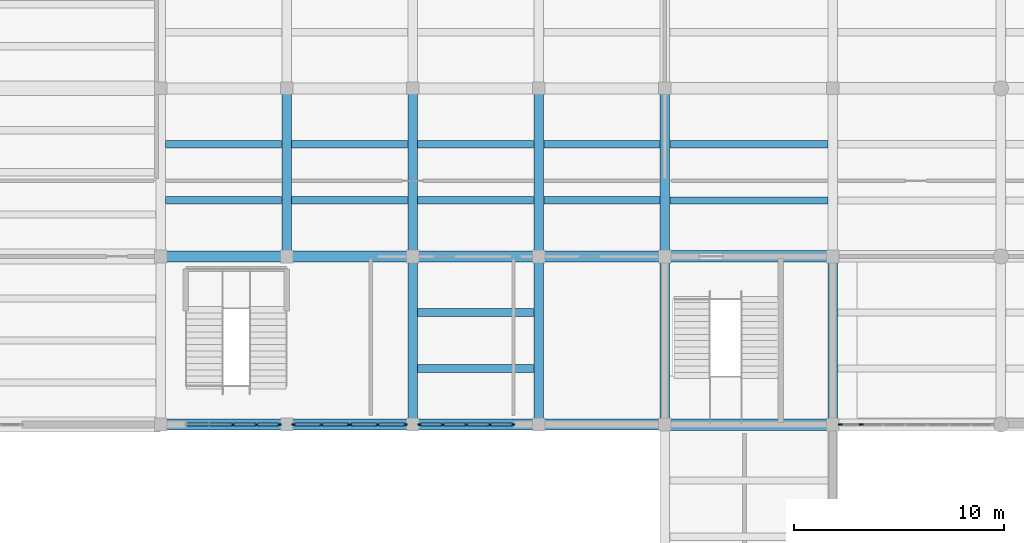
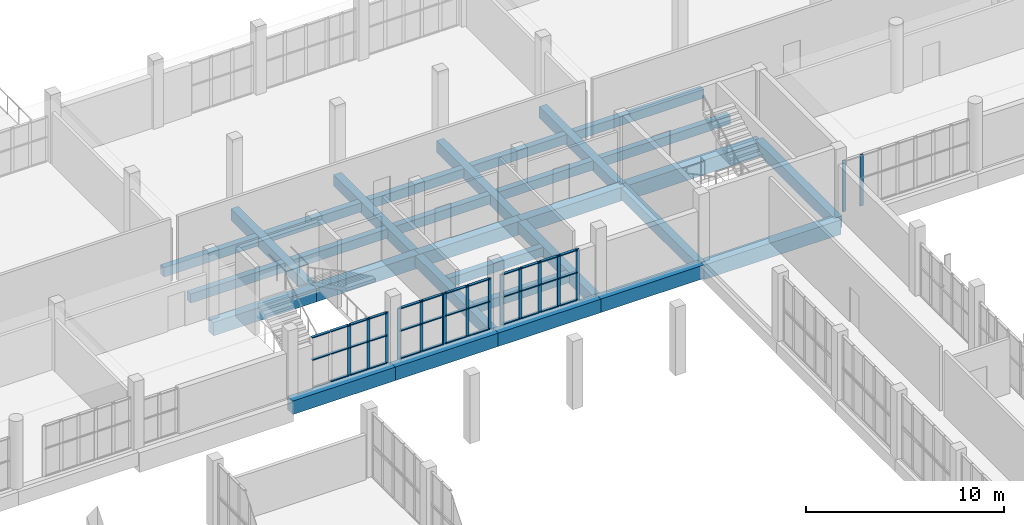
# One storey, part 22 of 85: 51 members, 30 beams, 5 elements without a shape of their own.
"""IFC4 building model written with IfcOpenShell, lengths in metres."""

from ifc_helpers import new_model, si_unit, direction, frame, origin, origin_2d, place, context, subcontext, project, spatial, rectangle, extrude, material, layer, layer_set, material_profile, profile_set, type_object, element, aggregate, save


model = new_model("IFC4")

# Units and contexts
model_context = context("Model", 3, precision=1e-05, world=origin(), true_north=direction((0.0, 1.0)))
body_context = subcontext(model_context, "Body", "Model", "MODEL_VIEW")
ifc_project = project(units=[si_unit("LENGTHUNIT", "METRE"), si_unit("AREAUNIT", "SQUARE_METRE"), si_unit("VOLUMEUNIT", "CUBIC_METRE"), si_unit("PLANEANGLEUNIT", "RADIAN"), si_unit("MASSUNIT", "GRAM", prefix="KILO")], contexts=[model_context])

# Site, building, storey
site_placement = place(None, origin())
site = spatial("IfcSite", under=ifc_project, at=site_placement, CompositionType="ELEMENT")
building_placement = place(site_placement, origin())
building = spatial("IfcBuilding", under=site, at=building_placement, Name="Solvane Community Centre", CompositionType="ELEMENT")
storey_placement = place(building_placement, frame((0.0, 0.0, 5.39990234375)))
storey = spatial("IfcBuildingStorey", under=building, at=storey_placement, Name="L01", CompositionType="ELEMENT", Elevation=5.39990234375)

# Curtain wall, members
ifc_material_1 = material(Name="Anodised bronze aluminium AW-6063 T6", Category="aluminium")
ifc_layer_1 = layer(ifc_material_1, 0.18994140625)
ifc_layer_set_1 = layer_set([ifc_layer_1], Name="Anodised bronze aluminium AW-6063 T6")
curtain_wall_type_1 = type_object("IfcCurtainWallType", Name="Boulevard Bronze Vision Curtain Wall [73x32dm]", PredefinedType="NOTDEFINED", material=ifc_layer_set_1)
curtain_wall_1_placement = place(storey_placement, origin())
curtain_wall_1 = element("IfcCurtainWall", 1, at=curtain_wall_1_placement, inside=storey, type_object=curtain_wall_type_1, Name="Curtain Wall CW-L01-756_860-095", PredefinedType="NOTDEFINED")
ifc_material_profile_1 = material_profile(ifc_material_1, rectangle(XDim=0.06005859375, YDim=0.18994140625, at=origin_2d()), Name="CW-M 60x190")
ifc_profile_set_1 = profile_set([ifc_material_profile_1], Name="Anodised bronze aluminium AW-6063 T6")
member_type_1 = type_object("IfcMemberType", Name="Boulevard Mullion 60x190", PredefinedType="MULLION", material=ifc_profile_set_1)
member_1_placement = place(storey_placement, frame((69.359375, 86.0, 0.0), z_axis=(0.0, 0.0, 1.0), x_axis=(0.0, -1.0, 0.0)))
member_1 = element("IfcMember", 2, at=member_1_placement, type_object=member_type_1, Name="CW02-73x32 mullion 7", PredefinedType="MULLION", context=body_context, shape_type="SweptSolid", body=[
    extrude(rectangle(XDim=0.06005859375, YDim=0.18994140625, at=origin_2d()), origin(), (0.0, 0.0, 1.0), 3.1650390625),
])
member_2_placement = place(storey_placement, frame((68.344970703125, 86.0, 0.0), z_axis=(0.0, 0.0, 1.0), x_axis=(0.0, -1.0, 0.0)))
member_2 = element("IfcMember", 3, at=member_2_placement, type_object=member_type_1, Name="CW02-73x32 mullion 8", PredefinedType="MULLION", context=body_context, shape_type="SweptSolid", body=[
    extrude(rectangle(XDim=0.06005859375, YDim=0.18994140625, at=origin_2d()), origin(), (0.0, 0.0, 1.0), 3.1650390625),
])
aggregate(curtain_wall_1, [member_1, member_2])

ifc_layer_2 = layer(ifc_material_1, 0.18994140625)
ifc_layer_set_2 = layer_set([ifc_layer_2], Name="Anodised bronze aluminium AW-6063 T6")
curtain_wall_type_2 = type_object("IfcCurtainWallType", Name="Boulevard Bronze Vision Curtain Wall [45x31dm]", PredefinedType="NOTDEFINED", material=ifc_layer_set_2)
curtain_wall_2_placement = place(storey_placement, origin())
curtain_wall_2 = element("IfcCurtainWall", 4, at=curtain_wall_2_placement, inside=storey, type_object=curtain_wall_type_2, Name="Curtain Wall CW-L01-528_860-096", PredefinedType="NOTDEFINED")
member_3_placement = place(storey_placement, frame((52.77001953125, 86.0, 0.0), z_axis=(0.0, 0.0, 1.0), x_axis=(0.0, -1.0, 0.0)))
member_3 = element("IfcMember", 5, at=member_3_placement, type_object=member_type_1, Name="CW02-45x31 mullion 1", PredefinedType="MULLION", context=body_context, shape_type="SweptSolid", body=[
    extrude(rectangle(XDim=0.06005859375, YDim=0.18994140625, at=origin_2d()), origin(), (0.0, 0.0, 1.0), 3.135009765625),
])
member_4_placement = place(storey_placement, frame((51.6787109375, 86.0, 0.0), z_axis=(0.0, 0.0, 1.0), x_axis=(0.0, -1.0, 0.0)))
member_4 = element("IfcMember", 6, at=member_4_placement, type_object=member_type_1, Name="CW02-45x31 mullion 2", PredefinedType="MULLION", context=body_context, shape_type="SweptSolid", body=[
    extrude(rectangle(XDim=0.06005859375, YDim=0.18994140625, at=origin_2d()), origin(), (0.0, 0.0, 1.0), 3.135009765625),
])
member_5_placement = place(storey_placement, frame((50.5576171875, 86.0, 0.0), z_axis=(0.0, 0.0, 1.0), x_axis=(0.0, -1.0, 0.0)))
member_5 = element("IfcMember", 7, at=member_5_placement, type_object=member_type_1, Name="CW02-45x31 mullion 3", PredefinedType="MULLION", context=body_context, shape_type="SweptSolid", body=[
    extrude(rectangle(XDim=0.06005859375, YDim=0.18994140625, at=origin_2d()), origin(), (0.0, 0.0, 1.0), 3.135009765625),
])
member_6_placement = place(storey_placement, frame((49.436279296875, 86.0, 0.0), z_axis=(0.0, 0.0, 1.0), x_axis=(0.0, -1.0, 0.0)))
member_6 = element("IfcMember", 8, at=member_6_placement, type_object=member_type_1, Name="CW02-45x31 mullion 4", PredefinedType="MULLION", context=body_context, shape_type="SweptSolid", body=[
    extrude(rectangle(XDim=0.06005859375, YDim=0.18994140625, at=origin_2d()), origin(), (0.0, 0.0, 1.0), 3.135009765625),
])
member_7_placement = place(storey_placement, frame((48.344970703125, 86.0, 0.0), z_axis=(0.0, 0.0, 1.0), x_axis=(0.0, -1.0, 0.0)))
member_7 = element("IfcMember", 9, at=member_7_placement, type_object=member_type_1, Name="CW02-45x31 mullion 5", PredefinedType="MULLION", context=body_context, shape_type="SweptSolid", body=[
    extrude(rectangle(XDim=0.06005859375, YDim=0.18994140625, at=origin_2d()), origin(), (0.0, 0.0, 1.0), 3.135009765625),
])

ifc_layer_3 = layer(ifc_material_1, 0.18994140625)
ifc_layer_set_3 = layer_set([ifc_layer_3], Name="Anodised bronze aluminium AW-6063 T6")
curtain_wall_type_3 = type_object("IfcCurtainWallType", Name="Boulevard Bronze Vision Curtain Wall [27x31dm]", PredefinedType="NOTDEFINED", material=ifc_layer_set_3)
curtain_wall_3_placement = place(storey_placement, origin())
curtain_wall_3 = element("IfcCurtainWall", 10, at=curtain_wall_3_placement, inside=storey, type_object=curtain_wall_type_3, Name="Curtain Wall CW-L01-477_860-097", PredefinedType="NOTDEFINED")
member_8_placement = place(storey_placement, frame((47.655029296875, 86.0, 0.0), z_axis=(0.0, 0.0, 1.0), x_axis=(0.0, -1.0, 0.0)))
member_8 = element("IfcMember", 11, at=member_8_placement, type_object=member_type_1, Name="CW02-27x31 mullion 1", PredefinedType="MULLION", context=body_context, shape_type="SweptSolid", body=[
    extrude(rectangle(XDim=0.06005859375, YDim=0.18994140625, at=origin_2d()), origin(), (0.0, 0.0, 1.0), 3.135009765625),
])
member_9_placement = place(storey_placement, frame((46.342529296875, 86.0, 0.0), z_axis=(0.0, 0.0, 1.0), x_axis=(0.0, -1.0, 0.0)))
member_9 = element("IfcMember", 12, at=member_9_placement, type_object=member_type_1, Name="CW02-27x31 mullion 2", PredefinedType="MULLION", context=body_context, shape_type="SweptSolid", body=[
    extrude(rectangle(XDim=0.06005859375, YDim=0.18994140625, at=origin_2d()), origin(), (0.0, 0.0, 1.0), 3.135009765625),
])
member_10_placement = place(storey_placement, frame((45.030029296875, 86.0, 0.0), z_axis=(0.0, 0.0, 1.0), x_axis=(0.0, -1.0, 0.0)))
member_10 = element("IfcMember", 13, at=member_10_placement, type_object=member_type_1, Name="CW02-27x31 mullion 3", PredefinedType="MULLION", context=body_context, shape_type="SweptSolid", body=[
    extrude(rectangle(XDim=0.06005859375, YDim=0.18994140625, at=origin_2d()), origin(), (0.0, 0.0, 1.0), 3.135009765625),
])

curtain_wall_4_placement = place(storey_placement, origin())
curtain_wall_4 = element("IfcCurtainWall", 14, at=curtain_wall_4_placement, inside=storey, type_object=curtain_wall_type_3, Name="Curtain Wall CW-L01-450_860-098", PredefinedType="NOTDEFINED")
member_11_placement = place(storey_placement, frame((44.969970703125, 86.0, 0.0), z_axis=(0.0, 0.0, 1.0), x_axis=(0.0, -1.0, 0.0)))
member_11 = element("IfcMember", 15, at=member_11_placement, type_object=member_type_1, Name="CW02-27x31 mullion 1", PredefinedType="MULLION", context=body_context, shape_type="SweptSolid", body=[
    extrude(rectangle(XDim=0.06005859375, YDim=0.18994140625, at=origin_2d()), origin(), (0.0, 0.0, 1.0), 3.135009765625),
])
member_12_placement = place(storey_placement, frame((43.657470703125, 86.0, 0.0), z_axis=(0.0, 0.0, 1.0), x_axis=(0.0, -1.0, 0.0)))
member_12 = element("IfcMember", 16, at=member_12_placement, type_object=member_type_1, Name="CW02-27x31 mullion 2", PredefinedType="MULLION", context=body_context, shape_type="SweptSolid", body=[
    extrude(rectangle(XDim=0.06005859375, YDim=0.18994140625, at=origin_2d()), origin(), (0.0, 0.0, 1.0), 3.135009765625),
])
member_13_placement = place(storey_placement, frame((42.344970703125, 86.0, 0.0), z_axis=(0.0, 0.0, 1.0), x_axis=(0.0, -1.0, 0.0)))
member_13 = element("IfcMember", 17, at=member_13_placement, type_object=member_type_1, Name="CW02-27x31 mullion 3", PredefinedType="MULLION", context=body_context, shape_type="SweptSolid", body=[
    extrude(rectangle(XDim=0.06005859375, YDim=0.18994140625, at=origin_2d()), origin(), (0.0, 0.0, 1.0), 3.135009765625),
])

curtain_wall_5_placement = place(storey_placement, origin())
curtain_wall_5 = element("IfcCurtainWall", 18, at=curtain_wall_5_placement, inside=storey, type_object=curtain_wall_type_2, Name="Curtain Wall CW-L01-417_860-099", PredefinedType="NOTDEFINED")
member_14_placement = place(storey_placement, frame((41.655029296875, 86.0, 0.0), z_axis=(0.0, 0.0, 1.0), x_axis=(0.0, -1.0, 0.0)))
member_14 = element("IfcMember", 19, at=member_14_placement, type_object=member_type_1, Name="CW02-45x31 mullion 1", PredefinedType="MULLION", context=body_context, shape_type="SweptSolid", body=[
    extrude(rectangle(XDim=0.06005859375, YDim=0.18994140625, at=origin_2d()), origin(), (0.0, 0.0, 1.0), 3.135009765625),
])
member_15_placement = place(storey_placement, frame((40.563720703125, 86.0, 0.0), z_axis=(0.0, 0.0, 1.0), x_axis=(0.0, -1.0, 0.0)))
member_15 = element("IfcMember", 20, at=member_15_placement, type_object=member_type_1, Name="CW02-45x31 mullion 2", PredefinedType="MULLION", context=body_context, shape_type="SweptSolid", body=[
    extrude(rectangle(XDim=0.06005859375, YDim=0.18994140625, at=origin_2d()), origin(), (0.0, 0.0, 1.0), 3.135009765625),
])
member_16_placement = place(storey_placement, frame((39.4423828125, 86.0, 0.0), z_axis=(0.0, 0.0, 1.0), x_axis=(0.0, -1.0, 0.0)))
member_16 = element("IfcMember", 21, at=member_16_placement, type_object=member_type_1, Name="CW02-45x31 mullion 3", PredefinedType="MULLION", context=body_context, shape_type="SweptSolid", body=[
    extrude(rectangle(XDim=0.06005859375, YDim=0.18994140625, at=origin_2d()), origin(), (0.0, 0.0, 1.0), 3.135009765625),
])

# Member
ifc_material_profile_2 = material_profile(ifc_material_1, rectangle(XDim=0.14990234375, YDim=0.06005859375, at=origin_2d()), Name="CW-T 60x150")
ifc_profile_set_2 = profile_set([ifc_material_profile_2], Name="Anodised bronze aluminium AW-6063 T6")
member_type_2 = type_object("IfcMemberType", Name="Boulevard Transom 60x150", PredefinedType="USERDEFINED", material=ifc_profile_set_2)
member_17_placement = place(storey_placement, frame((52.739990234375, 86.0, 0.030029296875), z_axis=(-1.0, 0.0, 0.0), x_axis=(0.0, -1.0, 0.0)))
member_17 = element("IfcMember", 22, at=member_17_placement, type_object=member_type_2, Name="CW02-45x31 transom 1.1", ObjectType="TRANSOM", PredefinedType="USERDEFINED", context=body_context, shape_type="SweptSolid", body=[
    extrude(rectangle(XDim=0.14990234375, YDim=0.06005859375, at=origin_2d()), origin(), (0.0, 0.0, 1.0), 1.03125),
])

member_18_placement = place(storey_placement, frame((52.739990234375, 86.0, 1.72412109375), z_axis=(-1.0, 0.0, 0.0), x_axis=(0.0, -1.0, 0.0)))
member_18 = element("IfcMember", 23, at=member_18_placement, type_object=member_type_2, Name="CW02-45x31 transom 1.2", ObjectType="TRANSOM", PredefinedType="USERDEFINED", context=body_context, shape_type="SweptSolid", body=[
    extrude(rectangle(XDim=0.14990234375, YDim=0.06005859375, at=origin_2d()), origin(), (0.0, 0.0, 1.0), 1.03125),
])

member_19_placement = place(storey_placement, frame((52.739990234375, 86.0, 3.10498046875), z_axis=(-1.0, 0.0, 0.0), x_axis=(0.0, -1.0, 0.0)))
member_19 = element("IfcMember", 24, at=member_19_placement, type_object=member_type_2, Name="CW02-45x31 transom 1.3", ObjectType="TRANSOM", PredefinedType="USERDEFINED", context=body_context, shape_type="SweptSolid", body=[
    extrude(rectangle(XDim=0.14990234375, YDim=0.06005859375, at=origin_2d()), origin(), (0.0, 0.0, 1.0), 1.03125),
])

member_20_placement = place(storey_placement, frame((51.648681640625, 86.0, 0.030029296875), z_axis=(-1.0, 0.0, 0.0), x_axis=(0.0, -1.0, 0.0)))
member_20 = element("IfcMember", 25, at=member_20_placement, type_object=member_type_2, Name="CW02-45x31 transom 2.1", ObjectType="TRANSOM", PredefinedType="USERDEFINED", context=body_context, shape_type="SweptSolid", body=[
    extrude(rectangle(XDim=0.14990234375, YDim=0.06005859375, at=origin_2d()), origin(), (0.0, 0.0, 1.0), 1.061279296875),
])

member_21_placement = place(storey_placement, frame((51.648681640625, 86.0, 1.72412109375), z_axis=(-1.0, 0.0, 0.0), x_axis=(0.0, -1.0, 0.0)))
member_21 = element("IfcMember", 26, at=member_21_placement, type_object=member_type_2, Name="CW02-45x31 transom 2.2", ObjectType="TRANSOM", PredefinedType="USERDEFINED", context=body_context, shape_type="SweptSolid", body=[
    extrude(rectangle(XDim=0.14990234375, YDim=0.06005859375, at=origin_2d()), origin(), (0.0, 0.0, 1.0), 1.061279296875),
])

member_22_placement = place(storey_placement, frame((51.648681640625, 86.0, 3.10498046875), z_axis=(-1.0, 0.0, 0.0), x_axis=(0.0, -1.0, 0.0)))
member_22 = element("IfcMember", 27, at=member_22_placement, type_object=member_type_2, Name="CW02-45x31 transom 2.3", ObjectType="TRANSOM", PredefinedType="USERDEFINED", context=body_context, shape_type="SweptSolid", body=[
    extrude(rectangle(XDim=0.14990234375, YDim=0.06005859375, at=origin_2d()), origin(), (0.0, 0.0, 1.0), 1.061279296875),
])

member_23_placement = place(storey_placement, frame((50.527587890625, 86.0, 0.030029296875), z_axis=(-1.0, 0.0, 0.0), x_axis=(0.0, -1.0, 0.0)))
member_23 = element("IfcMember", 28, at=member_23_placement, type_object=member_type_2, Name="CW02-45x31 transom 3.1", ObjectType="TRANSOM", PredefinedType="USERDEFINED", context=body_context, shape_type="SweptSolid", body=[
    extrude(rectangle(XDim=0.14990234375, YDim=0.06005859375, at=origin_2d()), origin(), (0.0, 0.0, 1.0), 1.061279296875),
])

member_24_placement = place(storey_placement, frame((50.527587890625, 86.0, 1.72412109375), z_axis=(-1.0, 0.0, 0.0), x_axis=(0.0, -1.0, 0.0)))
member_24 = element("IfcMember", 29, at=member_24_placement, type_object=member_type_2, Name="CW02-45x31 transom 3.2", ObjectType="TRANSOM", PredefinedType="USERDEFINED", context=body_context, shape_type="SweptSolid", body=[
    extrude(rectangle(XDim=0.14990234375, YDim=0.06005859375, at=origin_2d()), origin(), (0.0, 0.0, 1.0), 1.061279296875),
])

member_25_placement = place(storey_placement, frame((50.527587890625, 86.0, 3.10498046875), z_axis=(-1.0, 0.0, 0.0), x_axis=(0.0, -1.0, 0.0)))
member_25 = element("IfcMember", 30, at=member_25_placement, type_object=member_type_2, Name="CW02-45x31 transom 3.3", ObjectType="TRANSOM", PredefinedType="USERDEFINED", context=body_context, shape_type="SweptSolid", body=[
    extrude(rectangle(XDim=0.14990234375, YDim=0.06005859375, at=origin_2d()), origin(), (0.0, 0.0, 1.0), 1.061279296875),
])

member_26_placement = place(storey_placement, frame((49.40625, 86.0, 0.030029296875), z_axis=(-1.0, 0.0, 0.0), x_axis=(0.0, -1.0, 0.0)))
member_26 = element("IfcMember", 31, at=member_26_placement, type_object=member_type_2, Name="CW02-45x31 transom 4.1", ObjectType="TRANSOM", PredefinedType="USERDEFINED", context=body_context, shape_type="SweptSolid", body=[
    extrude(rectangle(XDim=0.14990234375, YDim=0.06005859375, at=origin_2d()), origin(), (0.0, 0.0, 1.0), 1.03125),
])

member_27_placement = place(storey_placement, frame((49.40625, 86.0, 1.72412109375), z_axis=(-1.0, 0.0, 0.0), x_axis=(0.0, -1.0, 0.0)))
member_27 = element("IfcMember", 32, at=member_27_placement, type_object=member_type_2, Name="CW02-45x31 transom 4.2", ObjectType="TRANSOM", PredefinedType="USERDEFINED", context=body_context, shape_type="SweptSolid", body=[
    extrude(rectangle(XDim=0.14990234375, YDim=0.06005859375, at=origin_2d()), origin(), (0.0, 0.0, 1.0), 1.03125),
])

member_28_placement = place(storey_placement, frame((49.40625, 86.0, 3.10498046875), z_axis=(-1.0, 0.0, 0.0), x_axis=(0.0, -1.0, 0.0)))
member_28 = element("IfcMember", 33, at=member_28_placement, type_object=member_type_2, Name="CW02-45x31 transom 4.3", ObjectType="TRANSOM", PredefinedType="USERDEFINED", context=body_context, shape_type="SweptSolid", body=[
    extrude(rectangle(XDim=0.14990234375, YDim=0.06005859375, at=origin_2d()), origin(), (0.0, 0.0, 1.0), 1.03125),
])

aggregate(curtain_wall_2, [member_3, member_4, member_5, member_6, member_7, member_17, member_18, member_19, member_20, member_21, member_22, member_23, member_24, member_25, member_26, member_27, member_28])

member_29_placement = place(storey_placement, frame((47.625, 86.0, 0.030029296875), z_axis=(-1.0, 0.0, 0.0), x_axis=(0.0, -1.0, 0.0)))
member_29 = element("IfcMember", 34, at=member_29_placement, type_object=member_type_2, Name="CW02-27x31 transom 1.1", ObjectType="TRANSOM", PredefinedType="USERDEFINED", context=body_context, shape_type="SweptSolid", body=[
    extrude(rectangle(XDim=0.14990234375, YDim=0.06005859375, at=origin_2d()), origin(), (0.0, 0.0, 1.0), 1.25244140625),
])

member_30_placement = place(storey_placement, frame((47.625, 86.0, 1.72412109375), z_axis=(-1.0, 0.0, 0.0), x_axis=(0.0, -1.0, 0.0)))
member_30 = element("IfcMember", 35, at=member_30_placement, type_object=member_type_2, Name="CW02-27x31 transom 1.2", ObjectType="TRANSOM", PredefinedType="USERDEFINED", context=body_context, shape_type="SweptSolid", body=[
    extrude(rectangle(XDim=0.14990234375, YDim=0.06005859375, at=origin_2d()), origin(), (0.0, 0.0, 1.0), 1.25244140625),
])

member_31_placement = place(storey_placement, frame((47.625, 86.0, 3.10498046875), z_axis=(-1.0, 0.0, 0.0), x_axis=(0.0, -1.0, 0.0)))
member_31 = element("IfcMember", 36, at=member_31_placement, type_object=member_type_2, Name="CW02-27x31 transom 1.3", ObjectType="TRANSOM", PredefinedType="USERDEFINED", context=body_context, shape_type="SweptSolid", body=[
    extrude(rectangle(XDim=0.14990234375, YDim=0.06005859375, at=origin_2d()), origin(), (0.0, 0.0, 1.0), 1.25244140625),
])

member_32_placement = place(storey_placement, frame((46.3125, 86.0, 0.030029296875), z_axis=(-1.0, 0.0, 0.0), x_axis=(0.0, -1.0, 0.0)))
member_32 = element("IfcMember", 37, at=member_32_placement, type_object=member_type_2, Name="CW02-27x31 transom 2.1", ObjectType="TRANSOM", PredefinedType="USERDEFINED", context=body_context, shape_type="SweptSolid", body=[
    extrude(rectangle(XDim=0.14990234375, YDim=0.06005859375, at=origin_2d()), origin(), (0.0, 0.0, 1.0), 1.25244140625),
])

member_33_placement = place(storey_placement, frame((46.3125, 86.0, 1.72412109375), z_axis=(-1.0, 0.0, 0.0), x_axis=(0.0, -1.0, 0.0)))
member_33 = element("IfcMember", 38, at=member_33_placement, type_object=member_type_2, Name="CW02-27x31 transom 2.2", ObjectType="TRANSOM", PredefinedType="USERDEFINED", context=body_context, shape_type="SweptSolid", body=[
    extrude(rectangle(XDim=0.14990234375, YDim=0.06005859375, at=origin_2d()), origin(), (0.0, 0.0, 1.0), 1.25244140625),
])

member_34_placement = place(storey_placement, frame((46.3125, 86.0, 3.10498046875), z_axis=(-1.0, 0.0, 0.0), x_axis=(0.0, -1.0, 0.0)))
member_34 = element("IfcMember", 39, at=member_34_placement, type_object=member_type_2, Name="CW02-27x31 transom 2.3", ObjectType="TRANSOM", PredefinedType="USERDEFINED", context=body_context, shape_type="SweptSolid", body=[
    extrude(rectangle(XDim=0.14990234375, YDim=0.06005859375, at=origin_2d()), origin(), (0.0, 0.0, 1.0), 1.25244140625),
])

aggregate(curtain_wall_3, [member_8, member_9, member_10, member_29, member_30, member_31, member_32, member_33, member_34])

member_35_placement = place(storey_placement, frame((44.93994140625, 86.0, 0.030029296875), z_axis=(-1.0, 0.0, 0.0), x_axis=(0.0, -1.0, 0.0)))
member_35 = element("IfcMember", 40, at=member_35_placement, type_object=member_type_2, Name="CW02-27x31 transom 1.1", ObjectType="TRANSOM", PredefinedType="USERDEFINED", context=body_context, shape_type="SweptSolid", body=[
    extrude(rectangle(XDim=0.14990234375, YDim=0.06005859375, at=origin_2d()), origin(), (0.0, 0.0, 1.0), 1.25244140625),
])

member_36_placement = place(storey_placement, frame((44.93994140625, 86.0, 1.72412109375), z_axis=(-1.0, 0.0, 0.0), x_axis=(0.0, -1.0, 0.0)))
member_36 = element("IfcMember", 41, at=member_36_placement, type_object=member_type_2, Name="CW02-27x31 transom 1.2", ObjectType="TRANSOM", PredefinedType="USERDEFINED", context=body_context, shape_type="SweptSolid", body=[
    extrude(rectangle(XDim=0.14990234375, YDim=0.06005859375, at=origin_2d()), origin(), (0.0, 0.0, 1.0), 1.25244140625),
])

member_37_placement = place(storey_placement, frame((44.93994140625, 86.0, 3.10498046875), z_axis=(-1.0, 0.0, 0.0), x_axis=(0.0, -1.0, 0.0)))
member_37 = element("IfcMember", 42, at=member_37_placement, type_object=member_type_2, Name="CW02-27x31 transom 1.3", ObjectType="TRANSOM", PredefinedType="USERDEFINED", context=body_context, shape_type="SweptSolid", body=[
    extrude(rectangle(XDim=0.14990234375, YDim=0.06005859375, at=origin_2d()), origin(), (0.0, 0.0, 1.0), 1.25244140625),
])

member_38_placement = place(storey_placement, frame((43.62744140625, 86.0, 0.030029296875), z_axis=(-1.0, 0.0, 0.0), x_axis=(0.0, -1.0, 0.0)))
member_38 = element("IfcMember", 43, at=member_38_placement, type_object=member_type_2, Name="CW02-27x31 transom 2.1", ObjectType="TRANSOM", PredefinedType="USERDEFINED", context=body_context, shape_type="SweptSolid", body=[
    extrude(rectangle(XDim=0.14990234375, YDim=0.06005859375, at=origin_2d()), origin(), (0.0, 0.0, 1.0), 1.25244140625),
])

member_39_placement = place(storey_placement, frame((43.62744140625, 86.0, 1.72412109375), z_axis=(-1.0, 0.0, 0.0), x_axis=(0.0, -1.0, 0.0)))
member_39 = element("IfcMember", 44, at=member_39_placement, type_object=member_type_2, Name="CW02-27x31 transom 2.2", ObjectType="TRANSOM", PredefinedType="USERDEFINED", context=body_context, shape_type="SweptSolid", body=[
    extrude(rectangle(XDim=0.14990234375, YDim=0.06005859375, at=origin_2d()), origin(), (0.0, 0.0, 1.0), 1.25244140625),
])

member_40_placement = place(storey_placement, frame((43.62744140625, 86.0, 3.10498046875), z_axis=(-1.0, 0.0, 0.0), x_axis=(0.0, -1.0, 0.0)))
member_40 = element("IfcMember", 45, at=member_40_placement, type_object=member_type_2, Name="CW02-27x31 transom 2.3", ObjectType="TRANSOM", PredefinedType="USERDEFINED", context=body_context, shape_type="SweptSolid", body=[
    extrude(rectangle(XDim=0.14990234375, YDim=0.06005859375, at=origin_2d()), origin(), (0.0, 0.0, 1.0), 1.25244140625),
])

aggregate(curtain_wall_4, [member_11, member_12, member_13, member_35, member_36, member_37, member_38, member_39, member_40])

member_41_placement = place(storey_placement, frame((41.625, 86.0, 0.030029296875), z_axis=(-1.0, 0.0, 0.0), x_axis=(0.0, -1.0, 0.0)))
member_41 = element("IfcMember", 46, at=member_41_placement, type_object=member_type_2, Name="CW02-45x31 transom 1.1", ObjectType="TRANSOM", PredefinedType="USERDEFINED", context=body_context, shape_type="SweptSolid", body=[
    extrude(rectangle(XDim=0.14990234375, YDim=0.06005859375, at=origin_2d()), origin(), (0.0, 0.0, 1.0), 1.03125),
])

member_42_placement = place(storey_placement, frame((41.625, 86.0, 1.72412109375), z_axis=(-1.0, 0.0, 0.0), x_axis=(0.0, -1.0, 0.0)))
member_42 = element("IfcMember", 47, at=member_42_placement, type_object=member_type_2, Name="CW02-45x31 transom 1.2", ObjectType="TRANSOM", PredefinedType="USERDEFINED", context=body_context, shape_type="SweptSolid", body=[
    extrude(rectangle(XDim=0.14990234375, YDim=0.06005859375, at=origin_2d()), origin(), (0.0, 0.0, 1.0), 1.03125),
])

member_43_placement = place(storey_placement, frame((41.625, 86.0, 3.10498046875), z_axis=(-1.0, 0.0, 0.0), x_axis=(0.0, -1.0, 0.0)))
member_43 = element("IfcMember", 48, at=member_43_placement, type_object=member_type_2, Name="CW02-45x31 transom 1.3", ObjectType="TRANSOM", PredefinedType="USERDEFINED", context=body_context, shape_type="SweptSolid", body=[
    extrude(rectangle(XDim=0.14990234375, YDim=0.06005859375, at=origin_2d()), origin(), (0.0, 0.0, 1.0), 1.03125),
])

member_44_placement = place(storey_placement, frame((40.53369140625, 86.0, 0.030029296875), z_axis=(-1.0, 0.0, 0.0), x_axis=(0.0, -1.0, 0.0)))
member_44 = element("IfcMember", 49, at=member_44_placement, type_object=member_type_2, Name="CW02-45x31 transom 2.1", ObjectType="TRANSOM", PredefinedType="USERDEFINED", context=body_context, shape_type="SweptSolid", body=[
    extrude(rectangle(XDim=0.14990234375, YDim=0.06005859375, at=origin_2d()), origin(), (0.0, 0.0, 1.0), 1.061279296875),
])

member_45_placement = place(storey_placement, frame((40.53369140625, 86.0, 1.72412109375), z_axis=(-1.0, 0.0, 0.0), x_axis=(0.0, -1.0, 0.0)))
member_45 = element("IfcMember", 50, at=member_45_placement, type_object=member_type_2, Name="CW02-45x31 transom 2.2", ObjectType="TRANSOM", PredefinedType="USERDEFINED", context=body_context, shape_type="SweptSolid", body=[
    extrude(rectangle(XDim=0.14990234375, YDim=0.06005859375, at=origin_2d()), origin(), (0.0, 0.0, 1.0), 1.061279296875),
])

member_46_placement = place(storey_placement, frame((40.53369140625, 86.0, 3.10498046875), z_axis=(-1.0, 0.0, 0.0), x_axis=(0.0, -1.0, 0.0)))
member_46 = element("IfcMember", 51, at=member_46_placement, type_object=member_type_2, Name="CW02-45x31 transom 2.3", ObjectType="TRANSOM", PredefinedType="USERDEFINED", context=body_context, shape_type="SweptSolid", body=[
    extrude(rectangle(XDim=0.14990234375, YDim=0.06005859375, at=origin_2d()), origin(), (0.0, 0.0, 1.0), 1.061279296875),
])

member_47_placement = place(storey_placement, frame((39.41259765625, 86.0, 0.030029296875), z_axis=(-1.0, 0.0, 0.0), x_axis=(0.0, -1.0, 0.0)))
member_47 = element("IfcMember", 52, at=member_47_placement, type_object=member_type_2, Name="CW02-45x31 transom 3.1", ObjectType="TRANSOM", PredefinedType="USERDEFINED", context=body_context, shape_type="SweptSolid", body=[
    extrude(rectangle(XDim=0.14990234375, YDim=0.06005859375, at=origin_2d()), origin(), (0.0, 0.0, 1.0), 1.061279296875),
])

member_48_placement = place(storey_placement, frame((39.41259765625, 86.0, 1.72412109375), z_axis=(-1.0, 0.0, 0.0), x_axis=(0.0, -1.0, 0.0)))
member_48 = element("IfcMember", 53, at=member_48_placement, type_object=member_type_2, Name="CW02-45x31 transom 3.2", ObjectType="TRANSOM", PredefinedType="USERDEFINED", context=body_context, shape_type="SweptSolid", body=[
    extrude(rectangle(XDim=0.14990234375, YDim=0.06005859375, at=origin_2d()), origin(), (0.0, 0.0, 1.0), 1.061279296875),
])

member_49_placement = place(storey_placement, frame((39.41259765625, 86.0, 3.10498046875), z_axis=(-1.0, 0.0, 0.0), x_axis=(0.0, -1.0, 0.0)))
member_49 = element("IfcMember", 54, at=member_49_placement, type_object=member_type_2, Name="CW02-45x31 transom 3.3", ObjectType="TRANSOM", PredefinedType="USERDEFINED", context=body_context, shape_type="SweptSolid", body=[
    extrude(rectangle(XDim=0.14990234375, YDim=0.06005859375, at=origin_2d()), origin(), (0.0, 0.0, 1.0), 1.061279296875),
])

member_50_placement = place(storey_placement, frame((38.291259765625, 86.0, 1.72412109375), z_axis=(-1.0, 0.0, 0.0), x_axis=(0.0, -1.0, 0.0)))
member_50 = element("IfcMember", 55, at=member_50_placement, type_object=member_type_2, Name="CW02-45x31 transom 4.2", ObjectType="TRANSOM", PredefinedType="USERDEFINED", context=body_context, shape_type="SweptSolid", body=[
    extrude(rectangle(XDim=0.14990234375, YDim=0.06005859375, at=origin_2d()), origin(), (0.0, 0.0, 1.0), 1.03125),
])

member_51_placement = place(storey_placement, frame((38.291259765625, 86.0, 3.10498046875), z_axis=(-1.0, 0.0, 0.0), x_axis=(0.0, -1.0, 0.0)))
member_51 = element("IfcMember", 56, at=member_51_placement, type_object=member_type_2, Name="CW02-45x31 transom 4.3", ObjectType="TRANSOM", PredefinedType="USERDEFINED", context=body_context, shape_type="SweptSolid", body=[
    extrude(rectangle(XDim=0.14990234375, YDim=0.06005859375, at=origin_2d()), origin(), (0.0, 0.0, 1.0), 1.03125),
])

aggregate(curtain_wall_5, [member_14, member_15, member_16, member_41, member_42, member_43, member_44, member_45, member_46, member_47, member_48, member_49, member_50, member_51])

# Beams
ifc_material_2 = material(Name="Concrete C35/45", Category="concrete")
ifc_material_profile_3 = material_profile(ifc_material_2, rectangle(XDim=0.449951171875, YDim=0.699951171875, at=origin_2d()), Name="RC 450x700")
ifc_profile_set_3 = profile_set([ifc_material_profile_3], Name="Concrete C35/45")
beam_type_1 = type_object("IfcBeamType", Name="RC Floor Beam 450x700", PredefinedType="BEAM", material=ifc_profile_set_3)
for number, where, z_axis, x_axis, name in (
    (57, (42.0, 94.0, -0.58984375), (0.0, 1.0, 0.0), (-1.0, 0.0, 0.0), "Beam BM-L01-420_940-420_1020"),
    (58, (48.0, 86.0, -0.58984375), (0.0, 1.0, 0.0), (-1.0, 0.0, 0.0), "Beam BM-L01-480_860-480_940"),
    (59, (48.0, 94.0, -0.58984375), (0.0, 1.0, 0.0), (-1.0, 0.0, 0.0), "Beam BM-L01-480_940-480_1020"),
    (60, (54.0, 86.0, -0.58984375), (0.0, 1.0, 0.0), (-1.0, 0.0, 0.0), "Beam BM-L01-540_860-540_940"),
    (61, (54.0, 94.0, -0.58984375), (0.0, 1.0, 0.0), (-1.0, 0.0, 0.0), "Beam BM-L01-540_940-540_1020"),
    (62, (60.0, 86.0, -0.58984375), (0.0, 1.0, 0.0), (-1.0, 0.0, 0.0), "Beam BM-L01-600_860-600_940"),
    (63, (60.0, 94.0, -0.58984375), (0.0, 1.0, 0.0), (-1.0, 0.0, 0.0), "Beam BM-L01-600_940-600_1020"),
    (64, (68.0, 86.0, -0.58984375), (0.0, 1.0, 0.0), (-1.0, 0.0, 0.0), "Beam BM-L01-680_860-680_940"),
):
    element("IfcBeam", number, at=place(storey_placement, frame(where, z_axis=z_axis, x_axis=x_axis)), inside=storey, type_object=beam_type_1, Name=name, PredefinedType="BEAM", context=body_context, shape_type="SweptSolid", body=[
        extrude(rectangle(XDim=0.449951171875, YDim=0.699951171875, at=origin_2d()), origin(), (0.0, 0.0, 1.0), 8.0),
    ])
ifc_material_profile_4 = material_profile(ifc_material_2, rectangle(XDim=0.550048828125, YDim=0.89990234375, at=origin_2d()), Name="RC 550x900")
ifc_profile_set_4 = profile_set([ifc_material_profile_4], Name="Concrete C35/45")
beam_type_2 = type_object("IfcBeamType", Name="RC Heavy Girder 550x900", PredefinedType="USERDEFINED", material=ifc_profile_set_4)
for number, where, z_axis, x_axis, name in (
    (65, (60.0, 86.0, -0.68994140625), (1.0, 0.0, 0.0), (0.0, 1.0, 0.0), "Beam BM-L01-600_860-680_860"),
    (66, (60.0, 94.0, -0.68994140625), (1.0, 0.0, 0.0), (0.0, 1.0, 0.0), "Beam BM-L01-600_940-680_940"),
):
    element("IfcBeam", number, at=place(storey_placement, frame(where, z_axis=z_axis, x_axis=x_axis)), inside=storey, type_object=beam_type_2, Name=name, ObjectType="GIRDER", PredefinedType="USERDEFINED", context=body_context, shape_type="SweptSolid", body=[
        extrude(rectangle(XDim=0.550048828125, YDim=0.89990234375, at=origin_2d()), origin(), (0.0, 0.0, 1.0), 8.0),
    ])
ifc_material_profile_5 = material_profile(ifc_material_2, rectangle(XDim=0.52001953125, YDim=0.830078125, at=origin_2d()), Name="RC 520x830")
ifc_profile_set_5 = profile_set([ifc_material_profile_5], Name="Concrete C35/45")
beam_type_3 = type_object("IfcBeamType", Name="RC Medium Girder 520x830", PredefinedType="USERDEFINED", material=ifc_profile_set_5)
for number, where, z_axis, x_axis, name in (
    (67, (36.0, 86.0, -0.65478515625), (1.0, 0.0, 0.0), (0.0, 1.0, 0.0), "Beam BM-L01-360_860-420_860"),
    (68, (42.0, 86.0, -0.65478515625), (1.0, 0.0, 0.0), (0.0, 1.0, 0.0), "Beam BM-L01-420_860-480_860"),
    (69, (48.0, 86.0, -0.65478515625), (1.0, 0.0, 0.0), (0.0, 1.0, 0.0), "Beam BM-L01-480_860-540_860"),
    (70, (54.0, 86.0, -0.65478515625), (1.0, 0.0, 0.0), (0.0, 1.0, 0.0), "Beam BM-L01-540_860-600_860"),
    (71, (36.0, 94.0, -0.65478515625), (1.0, 0.0, 0.0), (0.0, 1.0, 0.0), "Beam BM-L01-360_940-420_940"),
    (72, (42.0, 94.0, -0.65478515625), (1.0, 0.0, 0.0), (0.0, 1.0, 0.0), "Beam BM-L01-420_940-480_940"),
    (73, (48.0, 94.0, -0.65478515625), (1.0, 0.0, 0.0), (0.0, 1.0, 0.0), "Beam BM-L01-480_940-540_940"),
    (74, (54.0, 94.0, -0.65478515625), (1.0, 0.0, 0.0), (0.0, 1.0, 0.0), "Beam BM-L01-540_940-600_940"),
):
    element("IfcBeam", number, at=place(storey_placement, frame(where, z_axis=z_axis, x_axis=x_axis)), inside=storey, type_object=beam_type_3, Name=name, ObjectType="GIRDER", PredefinedType="USERDEFINED", context=body_context, shape_type="SweptSolid", body=[
        extrude(rectangle(XDim=0.52001953125, YDim=0.830078125, at=origin_2d()), origin(), (0.0, 0.0, 1.0), 6.0),
    ])
ifc_material_profile_6 = material_profile(ifc_material_2, rectangle(XDim=0.35009765625, YDim=0.550048828125, at=origin_2d()), Name="RC 350x550")
ifc_profile_set_6 = profile_set([ifc_material_profile_6], Name="Concrete C35/45")
beam_type_4 = type_object("IfcBeamType", Name="RC Secondary Joist 350x550", PredefinedType="JOIST", material=ifc_profile_set_6)
for number, where, z_axis, x_axis, name in (
    (75, (60.239990234375, 96.666748046875, -0.514892578125), (1.0, 0.0, 0.0), (0.0, 1.0, 0.0), "Beam BM-L01-602_967-678_967"),
    (76, (60.239990234375, 99.333251953125, -0.514892578125), (1.0, 0.0, 0.0), (0.0, 1.0, 0.0), "Beam BM-L01-602_993-678_993"),
):
    element("IfcBeam", number, at=place(storey_placement, frame(where, z_axis=z_axis, x_axis=x_axis)), inside=storey, type_object=beam_type_4, Name=name, PredefinedType="JOIST", context=body_context, shape_type="SweptSolid", body=[
        extrude(rectangle(XDim=0.35009765625, YDim=0.550048828125, at=origin_2d()), origin(), (0.0, 0.0, 1.0), 7.52001953125),
    ])
ifc_material_profile_7 = material_profile(ifc_material_2, rectangle(XDim=0.360107421875, YDim=0.56005859375, at=origin_2d()), Name="RC 360x560")
ifc_profile_set_7 = profile_set([ifc_material_profile_7], Name="Concrete C35/45")
beam_type_5 = type_object("IfcBeamType", Name="RC Terrace Joist 360x560", PredefinedType="JOIST", material=ifc_profile_set_7)
for number, where, z_axis, x_axis, name in (
    (77, (36.239990234375, 96.666748046875, -0.52001953125), (1.0, 0.0, 0.0), (0.0, 1.0, 0.0), "Beam BM-L01-362_967-418_967"),
    (78, (36.239990234375, 99.333251953125, -0.52001953125), (1.0, 0.0, 0.0), (0.0, 1.0, 0.0), "Beam BM-L01-362_993-418_993"),
    (79, (42.239990234375, 96.666748046875, -0.52001953125), (1.0, 0.0, 0.0), (0.0, 1.0, 0.0), "Beam BM-L01-422_967-478_967"),
    (80, (42.239990234375, 99.333251953125, -0.52001953125), (1.0, 0.0, 0.0), (0.0, 1.0, 0.0), "Beam BM-L01-422_993-478_993"),
    (81, (48.239990234375, 88.666748046875, -0.52001953125), (1.0, 0.0, 0.0), (0.0, 1.0, 0.0), "Beam BM-L01-482_887-538_887"),
    (82, (48.239990234375, 91.333251953125, -0.52001953125), (1.0, 0.0, 0.0), (0.0, 1.0, 0.0), "Beam BM-L01-482_913-538_913"),
    (83, (48.239990234375, 96.666748046875, -0.52001953125), (1.0, 0.0, 0.0), (0.0, 1.0, 0.0), "Beam BM-L01-482_967-538_967"),
    (84, (48.239990234375, 99.333251953125, -0.52001953125), (1.0, 0.0, 0.0), (0.0, 1.0, 0.0), "Beam BM-L01-482_993-538_993"),
    (85, (54.239990234375, 96.666748046875, -0.52001953125), (1.0, 0.0, 0.0), (0.0, 1.0, 0.0), "Beam BM-L01-542_967-598_967"),
    (86, (54.239990234375, 99.333251953125, -0.52001953125), (1.0, 0.0, 0.0), (0.0, 1.0, 0.0), "Beam BM-L01-542_993-598_993"),
):
    element("IfcBeam", number, at=place(storey_placement, frame(where, z_axis=z_axis, x_axis=x_axis)), inside=storey, type_object=beam_type_5, Name=name, PredefinedType="JOIST", context=body_context, shape_type="SweptSolid", body=[
        extrude(rectangle(XDim=0.360107421875, YDim=0.56005859375, at=origin_2d()), origin(), (0.0, 0.0, 1.0), 5.52001953125),
    ])

save(model, "model.ifc")
